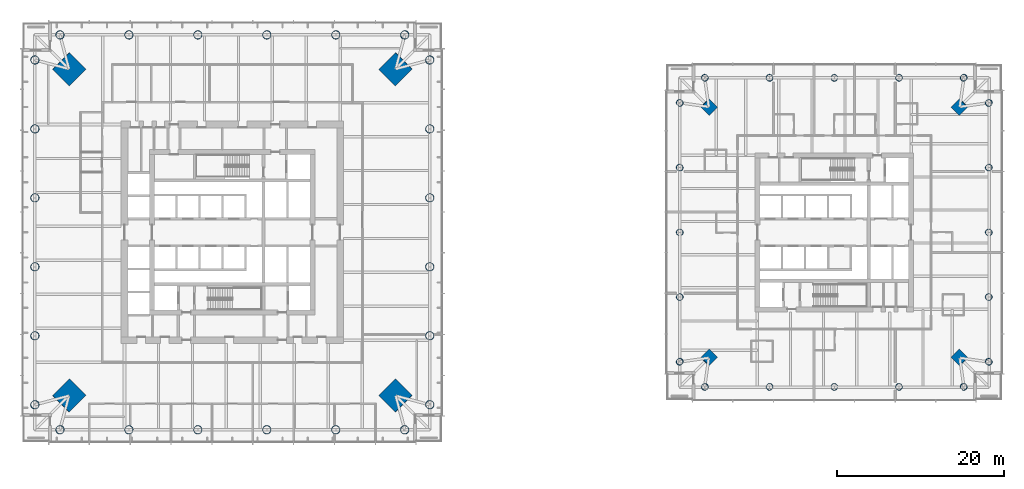
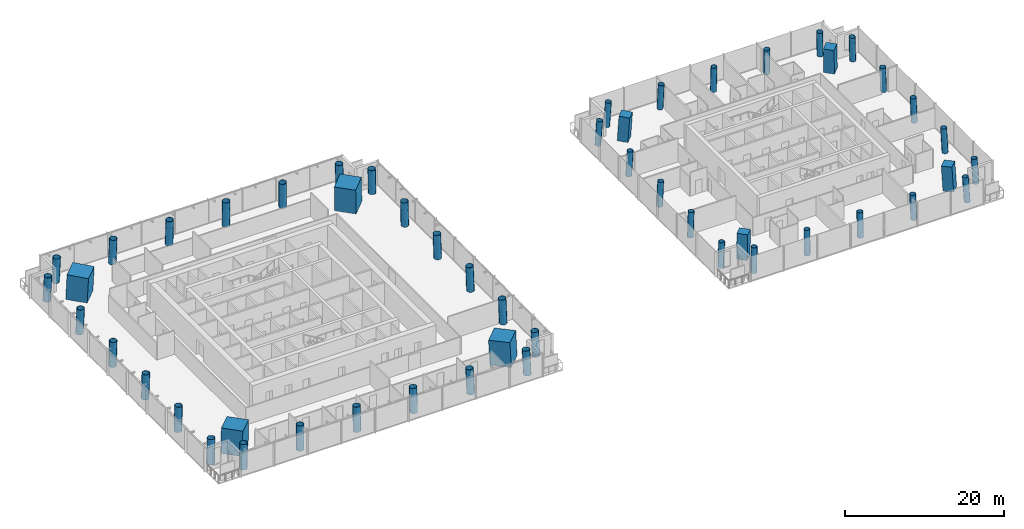
# One storey, part 1 of 21: 52 columns.
"""IFC4 building model written with IfcOpenShell, lengths in metres."""

from ifc_helpers import new_model, si_unit, direction, frame, origin, origin_2d, place, context, subcontext, project, spatial, rectangle, hollow_circle, extrude, material, material_profile, profile_set, type_object, element, save


model = new_model("IFC4")

# Units and contexts
model_context = context("Model", 3, precision=1e-05, world=origin(), true_north=direction((0.0, 1.0)))
body_context = subcontext(model_context, "Body", "Model", "MODEL_VIEW")
ifc_project = project(units=[si_unit("LENGTHUNIT", "METRE"), si_unit("AREAUNIT", "SQUARE_METRE"), si_unit("VOLUMEUNIT", "CUBIC_METRE"), si_unit("PLANEANGLEUNIT", "RADIAN"), si_unit("MASSUNIT", "GRAM", prefix="KILO")], contexts=[model_context])

# Site, building, storey
site_placement = place(None, origin())
site = spatial("IfcSite", under=ifc_project, at=site_placement, CompositionType="ELEMENT")
building_placement = place(site_placement, origin())
building = spatial("IfcBuilding", under=site, at=building_placement, Name="Ostroluk Exchange", CompositionType="ELEMENT")
storey_placement = place(building_placement, frame((0.0, 0.0, 32.39990234375)))
storey = spatial("IfcBuildingStorey", under=building, at=storey_placement, Name="L07", CompositionType="ELEMENT", Elevation=32.39990234375)

# Columns
ifc_material_1 = material(Name="Concrete C50/60", Category="concrete")
ifc_material_profile_1 = material_profile(ifc_material_1, rectangle(XDim=1.39990234375, YDim=1.39990234375, at=origin_2d()), Name="RC 1400x1400")
ifc_profile_set_1 = profile_set([ifc_material_profile_1], Name="Concrete C50/60")
column_type_1 = type_object("IfcColumnType", Name="Mega column RC 1400x1400", PredefinedType="COLUMN", material=ifc_profile_set_1)
for number, where, z_axis, x_axis, name in (
    (1, (132.008544921875, 61.008544921875, 0.0), (-0.043029647111, -0.043029647111, 0.998146732169), (0.707106781187, -0.707106781187, 0.0), "T2 mega column NE"),
    (2, (101.991455078125, 61.008544921875, 0.0), (0.043029647111, -0.043029647111, 0.998146732169), (0.707106781187, 0.707106781187, 0.0), "T2 mega column NW"),
    (3, (101.991455078125, 30.991455078125, 0.0), (0.043029647111, 0.043029647111, 0.998146732169), (-0.707106781187, 0.707106781187, 0.0), "T2 mega column SW"),
    (4, (132.008544921875, 30.991455078125, 0.0), (-0.043029647111, 0.043029647111, 0.998146732169), (-0.707106781187, -0.707106781187, 0.0), "T2 mega column SE"),
):
    element("IfcColumn", number, at=place(storey_placement, frame(where, z_axis=z_axis, x_axis=x_axis)), inside=storey, type_object=column_type_1, Name=name, PredefinedType="COLUMN", context=body_context, shape_type="SweptSolid", body=[
        extrude(rectangle(XDim=1.39990234375, YDim=1.39990234375, at=origin_2d()), origin(), (0.0, 0.0, 1.0), 3.80712890625),
    ])
ifc_material_2 = material(Name="Concrete C50/60", Category="concrete")
ifc_material_profile_2 = material_profile(ifc_material_2, rectangle(XDim=2.800048828125, YDim=2.800048828125, at=origin_2d()), Name="RC 2800x2800")
ifc_profile_set_2 = profile_set([ifc_material_profile_2], Name="Concrete C50/60")
column_type_2 = type_object("IfcColumnType", Name="Mega column RC 2800x2800", PredefinedType="COLUMN", material=ifc_profile_set_2)
for number, where, z_axis, x_axis, name in (
    (5, (64.53564453125, 65.53564453125, 0.0), (-0.031898107953, -0.031898107953, 0.998981992539), (0.707106781187, -0.707106781187, 0.0), "T1 mega column NE"),
    (6, (25.46435546875, 65.53564453125, 0.0), (0.031898107953, -0.031898107953, 0.998981992539), (0.707106781187, 0.707106781187, 0.0), "T1 mega column NW"),
    (7, (25.46435546875, 26.46435546875, 0.0), (0.031898107953, 0.031898107953, 0.998981992539), (-0.707106781187, 0.707106781187, 0.0), "T1 mega column SW"),
    (8, (64.53564453125, 26.46435546875, 0.0), (-0.031898107953, 0.031898107953, 0.998981992539), (-0.707106781187, -0.707106781187, 0.0), "T1 mega column SE"),
):
    element("IfcColumn", number, at=place(storey_placement, frame(where, z_axis=z_axis, x_axis=x_axis)), inside=storey, type_object=column_type_2, Name=name, PredefinedType="COLUMN", context=body_context, shape_type="SweptSolid", body=[
        extrude(rectangle(XDim=2.800048828125, YDim=2.800048828125, at=origin_2d()), origin(), (0.0, 0.0, 1.0), 3.803955078125),
    ])
ifc_material_3 = material(Name="Steel S460", Category="steel")
ifc_material_profile_3 = material_profile(ifc_material_3, hollow_circle(Radius=0.508056640625, WallThickness=0.0400390625, at=origin_2d()), Name="CHS 1016x40")
ifc_profile_set_3 = profile_set([ifc_material_profile_3], Name="Steel S460")
column_type_3 = type_object("IfcColumnType", Name="Perimeter column CHS 1016x40", PredefinedType="COLUMN", material=ifc_profile_set_3)
for number, where, z_axis, x_axis, name in (
    (9, (68.6357421875, 25.3642578125, 0.0), (-0.031898107953, 0.031898107953, 0.998981992539), (-0.707106781187, -0.707106781187, 0.0), "T1 east face column E0"),
    (10, (68.6357421875, 66.6357421875, 0.0), (-0.031898107953, -0.031898107953, 0.998981992539), (0.707106781187, -0.707106781187, 0.0), "T1 east face column E1"),
):
    element("IfcColumn", number, at=place(storey_placement, frame(where, z_axis=z_axis, x_axis=x_axis)), inside=storey, type_object=column_type_3, Name=name, PredefinedType="COLUMN", context=body_context, shape_type="SweptSolid", body=[
        extrude(hollow_circle(Radius=0.508056640625, WallThickness=0.0400390625, at=origin_2d()), origin(), (0.0, 0.0, 1.0), 3.803955078125),
    ])
column_1_placement = place(storey_placement, frame((68.6357421875, 33.61865234375, 0.0), z_axis=(-0.031908506785, 0.019132263625, 0.999307662176), x_axis=(-0.514241961696, -0.857645150882, 0.0)))
element("IfcColumn", 11, at=column_1_placement, inside=storey, type_object=column_type_3, Name="T1 east face column I1", PredefinedType="COLUMN", context=body_context, shape_type="SweptSolid", body=[
    extrude(hollow_circle(Radius=0.508056640625, WallThickness=0.0400390625, at=origin_2d()), origin(), (0.0, 0.0, 1.0), 3.802734375),
])
for number, where, z_axis, x_axis, name in (
    (12, (68.6357421875, 41.872802734375, 0.0), (-0.031913690376, 0.006421265669, 0.999470001408), (-0.197254006954, -0.980352414563, 0.0), "T1 east face column I2"),
    (13, (68.6357421875, 50.127197265625, 0.0), (-0.031913690376, -0.006421265669, 0.999470001408), (0.197254006954, -0.980352414563, 0.0), "T1 east face column I3"),
):
    element("IfcColumn", number, at=place(storey_placement, frame(where, z_axis=z_axis, x_axis=x_axis)), inside=storey, type_object=column_type_3, Name=name, PredefinedType="COLUMN", context=body_context, shape_type="SweptSolid", body=[
        extrude(hollow_circle(Radius=0.508056640625, WallThickness=0.0400390625, at=origin_2d()), origin(), (0.0, 0.0, 1.0), 3.802001953125),
    ])
column_2_placement = place(storey_placement, frame((68.6357421875, 58.38134765625, 0.0), z_axis=(-0.031908506785, -0.019132263625, 0.999307662176), x_axis=(0.514241961696, -0.857645150882, 0.0)))
element("IfcColumn", 14, at=column_2_placement, inside=storey, type_object=column_type_3, Name="T1 east face column I4", PredefinedType="COLUMN", context=body_context, shape_type="SweptSolid", body=[
    extrude(hollow_circle(Radius=0.508056640625, WallThickness=0.0400390625, at=origin_2d()), origin(), (0.0, 0.0, 1.0), 3.802734375),
])
for number, where, z_axis, x_axis, name in (
    (15, (65.6357421875, 69.6357421875, 0.0), (-0.031898107953, -0.031898107953, 0.998981992539), (0.707106781187, -0.707106781187, 0.0), "T1 north face column E0"),
    (16, (24.3642578125, 69.6357421875, 0.0), (0.031898107953, -0.031898107953, 0.998981992539), (0.707106781187, 0.707106781187, 0.0), "T1 north face column E1"),
):
    element("IfcColumn", number, at=place(storey_placement, frame(where, z_axis=z_axis, x_axis=x_axis)), inside=storey, type_object=column_type_3, Name=name, PredefinedType="COLUMN", context=body_context, shape_type="SweptSolid", body=[
        extrude(hollow_circle(Radius=0.508056640625, WallThickness=0.0400390625, at=origin_2d()), origin(), (0.0, 0.0, 1.0), 3.803955078125),
    ])
column_3_placement = place(storey_placement, frame((57.38134765625, 69.6357421875, 0.0), z_axis=(-0.019132263625, -0.031908506785, 0.999307662176), x_axis=(0.857645150882, -0.514241961696, 0.0)))
element("IfcColumn", 17, at=column_3_placement, inside=storey, type_object=column_type_3, Name="T1 north face column I1", PredefinedType="COLUMN", context=body_context, shape_type="SweptSolid", body=[
    extrude(hollow_circle(Radius=0.508056640625, WallThickness=0.0400390625, at=origin_2d()), origin(), (0.0, 0.0, 1.0), 3.802734375),
])
for number, where, z_axis, x_axis, name in (
    (18, (49.127197265625, 69.6357421875, 0.0), (-0.006421265669, -0.031913690376, 0.999470001408), (0.980352414563, -0.197254006954, 0.0), "T1 north face column I2"),
    (19, (40.872802734375, 69.6357421875, 0.0), (0.006421265669, -0.031913690376, 0.999470001408), (0.980352414563, 0.197254006954, 0.0), "T1 north face column I3"),
):
    element("IfcColumn", number, at=place(storey_placement, frame(where, z_axis=z_axis, x_axis=x_axis)), inside=storey, type_object=column_type_3, Name=name, PredefinedType="COLUMN", context=body_context, shape_type="SweptSolid", body=[
        extrude(hollow_circle(Radius=0.508056640625, WallThickness=0.0400390625, at=origin_2d()), origin(), (0.0, 0.0, 1.0), 3.802001953125),
    ])
column_4_placement = place(storey_placement, frame((32.61865234375, 69.6357421875, 0.0), z_axis=(0.019132263625, -0.031908506785, 0.999307662176), x_axis=(0.857645150882, 0.514241961696, 0.0)))
element("IfcColumn", 20, at=column_4_placement, inside=storey, type_object=column_type_3, Name="T1 north face column I4", PredefinedType="COLUMN", context=body_context, shape_type="SweptSolid", body=[
    extrude(hollow_circle(Radius=0.508056640625, WallThickness=0.0400390625, at=origin_2d()), origin(), (0.0, 0.0, 1.0), 3.802734375),
])
for number, where, z_axis, x_axis, name in (
    (21, (21.3642578125, 66.6357421875, 0.0), (0.031898107953, -0.031898107953, 0.998981992539), (0.707106781187, 0.707106781187, 0.0), "T1 west face column E0"),
    (22, (21.3642578125, 25.3642578125, 0.0), (0.031898107953, 0.031898107953, 0.998981992539), (-0.707106781187, 0.707106781187, 0.0), "T1 west face column E1"),
):
    element("IfcColumn", number, at=place(storey_placement, frame(where, z_axis=z_axis, x_axis=x_axis)), inside=storey, type_object=column_type_3, Name=name, PredefinedType="COLUMN", context=body_context, shape_type="SweptSolid", body=[
        extrude(hollow_circle(Radius=0.508056640625, WallThickness=0.0400390625, at=origin_2d()), origin(), (0.0, 0.0, 1.0), 3.803955078125),
    ])
column_5_placement = place(storey_placement, frame((21.3642578125, 58.38134765625, 0.0), z_axis=(0.031908506785, -0.019132263625, 0.999307662176), x_axis=(0.514241961696, 0.857645150882, 0.0)))
element("IfcColumn", 23, at=column_5_placement, inside=storey, type_object=column_type_3, Name="T1 west face column I1", PredefinedType="COLUMN", context=body_context, shape_type="SweptSolid", body=[
    extrude(hollow_circle(Radius=0.508056640625, WallThickness=0.0400390625, at=origin_2d()), origin(), (0.0, 0.0, 1.0), 3.802734375),
])
for number, where, z_axis, x_axis, name in (
    (24, (21.3642578125, 50.127197265625, 0.0), (0.031913690376, -0.006421265669, 0.999470001408), (0.197254006954, 0.980352414563, 0.0), "T1 west face column I2"),
    (25, (21.3642578125, 41.872802734375, 0.0), (0.031913690376, 0.006421265669, 0.999470001408), (-0.197254006954, 0.980352414563, 0.0), "T1 west face column I3"),
):
    element("IfcColumn", number, at=place(storey_placement, frame(where, z_axis=z_axis, x_axis=x_axis)), inside=storey, type_object=column_type_3, Name=name, PredefinedType="COLUMN", context=body_context, shape_type="SweptSolid", body=[
        extrude(hollow_circle(Radius=0.508056640625, WallThickness=0.0400390625, at=origin_2d()), origin(), (0.0, 0.0, 1.0), 3.802001953125),
    ])
column_6_placement = place(storey_placement, frame((21.3642578125, 33.61865234375, 0.0), z_axis=(0.031908506785, 0.019132263625, 0.999307662176), x_axis=(-0.514241961696, 0.857645150882, 0.0)))
element("IfcColumn", 26, at=column_6_placement, inside=storey, type_object=column_type_3, Name="T1 west face column I4", PredefinedType="COLUMN", context=body_context, shape_type="SweptSolid", body=[
    extrude(hollow_circle(Radius=0.508056640625, WallThickness=0.0400390625, at=origin_2d()), origin(), (0.0, 0.0, 1.0), 3.802734375),
])
for number, where, z_axis, x_axis, name in (
    (27, (24.3642578125, 22.3642578125, 0.0), (0.031898107953, 0.031898107953, 0.998981992539), (-0.707106781187, 0.707106781187, 0.0), "T1 south face column E0"),
    (28, (65.6357421875, 22.3642578125, 0.0), (-0.031898107953, 0.031898107953, 0.998981992539), (-0.707106781187, -0.707106781187, 0.0), "T1 south face column E1"),
):
    element("IfcColumn", number, at=place(storey_placement, frame(where, z_axis=z_axis, x_axis=x_axis)), inside=storey, type_object=column_type_3, Name=name, PredefinedType="COLUMN", context=body_context, shape_type="SweptSolid", body=[
        extrude(hollow_circle(Radius=0.508056640625, WallThickness=0.0400390625, at=origin_2d()), origin(), (0.0, 0.0, 1.0), 3.803955078125),
    ])
column_7_placement = place(storey_placement, frame((32.61865234375, 22.3642578125, 0.0), z_axis=(0.019132263625, 0.031908506785, 0.999307662176), x_axis=(-0.857645150882, 0.514241961696, 0.0)))
element("IfcColumn", 29, at=column_7_placement, inside=storey, type_object=column_type_3, Name="T1 south face column I1", PredefinedType="COLUMN", context=body_context, shape_type="SweptSolid", body=[
    extrude(hollow_circle(Radius=0.508056640625, WallThickness=0.0400390625, at=origin_2d()), origin(), (0.0, 0.0, 1.0), 3.802734375),
])
for number, where, z_axis, x_axis, name in (
    (30, (40.872802734375, 22.3642578125, 0.0), (0.006421265669, 0.031913690376, 0.999470001408), (-0.980352414563, 0.197254006954, 0.0), "T1 south face column I2"),
    (31, (49.127197265625, 22.3642578125, 0.0), (-0.006421265669, 0.031913690376, 0.999470001408), (-0.980352414563, -0.197254006954, 0.0), "T1 south face column I3"),
):
    element("IfcColumn", number, at=place(storey_placement, frame(where, z_axis=z_axis, x_axis=x_axis)), inside=storey, type_object=column_type_3, Name=name, PredefinedType="COLUMN", context=body_context, shape_type="SweptSolid", body=[
        extrude(hollow_circle(Radius=0.508056640625, WallThickness=0.0400390625, at=origin_2d()), origin(), (0.0, 0.0, 1.0), 3.802001953125),
    ])
column_8_placement = place(storey_placement, frame((57.38134765625, 22.3642578125, 0.0), z_axis=(-0.019132263625, 0.031908506785, 0.999307662176), x_axis=(-0.857645150882, -0.514241961696, 0.0)))
element("IfcColumn", 32, at=column_8_placement, inside=storey, type_object=column_type_3, Name="T1 south face column I4", PredefinedType="COLUMN", context=body_context, shape_type="SweptSolid", body=[
    extrude(hollow_circle(Radius=0.508056640625, WallThickness=0.0400390625, at=origin_2d()), origin(), (0.0, 0.0, 1.0), 3.802734375),
])
ifc_material_4 = material(Name="Steel S460", Category="steel")
ifc_material_profile_4 = material_profile(ifc_material_4, hollow_circle(Radius=0.406494140625, WallThickness=0.030029296875, at=origin_2d()), Name="CHS 813x30")
ifc_profile_set_4 = profile_set([ifc_material_profile_4], Name="Steel S460")
column_type_4 = type_object("IfcColumnType", Name="Perimeter column CHS 813x30", PredefinedType="COLUMN", material=ifc_profile_set_4)
for number, where, z_axis, x_axis, name in (
    (33, (135.508544921875, 30.491455078125, 0.0), (-0.043029647111, 0.043029647111, 0.998146732169), (-0.707106781187, -0.707106781187, 0.0), "T2 east face column E0"),
    (34, (135.508544921875, 61.508544921875, 0.0), (-0.043029647111, -0.043029647111, 0.998146732169), (0.707106781187, -0.707106781187, 0.0), "T2 east face column E1"),
):
    element("IfcColumn", number, at=place(storey_placement, frame(where, z_axis=z_axis, x_axis=x_axis)), inside=storey, type_object=column_type_4, Name=name, PredefinedType="COLUMN", context=body_context, shape_type="SweptSolid", body=[
        extrude(hollow_circle(Radius=0.406494140625, WallThickness=0.030029296875, at=origin_2d()), origin(), (0.0, 0.0, 1.0), 3.80712890625),
    ])
column_9_placement = place(storey_placement, frame((135.508544921875, 38.24560546875, 0.0), z_axis=(-0.043059525333, 0.021561848751, 0.998839808957), x_axis=(-0.44774654769, -0.894160516368, 0.0)))
element("IfcColumn", 35, at=column_9_placement, inside=storey, type_object=column_type_4, Name="T2 east face column I1", PredefinedType="COLUMN", context=body_context, shape_type="SweptSolid", body=[
    extrude(hollow_circle(Radius=0.406494140625, WallThickness=0.030029296875, at=origin_2d()), origin(), (0.0, 0.0, 1.0), 3.804443359375),
])
column_10_placement = place(storey_placement, frame((135.508544921875, 46.0, 0.0), z_axis=(-0.043069538298, 0.0, 0.999072076915), x_axis=(0.0, -1.0, 0.0)))
element("IfcColumn", 36, at=column_10_placement, inside=storey, type_object=column_type_4, Name="T2 east face column I2", PredefinedType="COLUMN", context=body_context, shape_type="SweptSolid", body=[
    extrude(hollow_circle(Radius=0.406494140625, WallThickness=0.030029296875, at=origin_2d()), origin(), (0.0, 0.0, 1.0), 3.803466796875),
])
column_11_placement = place(storey_placement, frame((135.508544921875, 53.75439453125, 0.0), z_axis=(-0.043059525333, -0.021561848751, 0.998839808957), x_axis=(0.44774654769, -0.894160516368, 0.0)))
element("IfcColumn", 37, at=column_11_placement, inside=storey, type_object=column_type_4, Name="T2 east face column I3", PredefinedType="COLUMN", context=body_context, shape_type="SweptSolid", body=[
    extrude(hollow_circle(Radius=0.406494140625, WallThickness=0.030029296875, at=origin_2d()), origin(), (0.0, 0.0, 1.0), 3.804443359375),
])
for number, where, z_axis, x_axis, name in (
    (38, (132.508544921875, 64.508544921875, 0.0), (-0.043029647111, -0.043029647111, 0.998146732169), (0.707106781187, -0.707106781187, 0.0), "T2 north face column E0"),
    (39, (101.491455078125, 64.508544921875, 0.0), (0.043029647111, -0.043029647111, 0.998146732169), (0.707106781187, 0.707106781187, 0.0), "T2 north face column E1"),
):
    element("IfcColumn", number, at=place(storey_placement, frame(where, z_axis=z_axis, x_axis=x_axis)), inside=storey, type_object=column_type_4, Name=name, PredefinedType="COLUMN", context=body_context, shape_type="SweptSolid", body=[
        extrude(hollow_circle(Radius=0.406494140625, WallThickness=0.030029296875, at=origin_2d()), origin(), (0.0, 0.0, 1.0), 3.80712890625),
    ])
column_12_placement = place(storey_placement, frame((124.75439453125, 64.508544921875, 0.0), z_axis=(-0.021561848751, -0.043059525333, 0.998839808957), x_axis=(0.894160516368, -0.44774654769, 0.0)))
element("IfcColumn", 40, at=column_12_placement, inside=storey, type_object=column_type_4, Name="T2 north face column I1", PredefinedType="COLUMN", context=body_context, shape_type="SweptSolid", body=[
    extrude(hollow_circle(Radius=0.406494140625, WallThickness=0.030029296875, at=origin_2d()), origin(), (0.0, 0.0, 1.0), 3.804443359375),
])
column_13_placement = place(storey_placement, frame((117.0, 64.508544921875, 0.0), z_axis=(0.0, -0.043069538298, 0.999072076915), x_axis=(1.0, 0.0, 0.0)))
element("IfcColumn", 41, at=column_13_placement, inside=storey, type_object=column_type_4, Name="T2 north face column I2", PredefinedType="COLUMN", context=body_context, shape_type="SweptSolid", body=[
    extrude(hollow_circle(Radius=0.406494140625, WallThickness=0.030029296875, at=origin_2d()), origin(), (0.0, 0.0, 1.0), 3.803466796875),
])
column_14_placement = place(storey_placement, frame((109.24560546875, 64.508544921875, 0.0), z_axis=(0.021561848751, -0.043059525333, 0.998839808957), x_axis=(0.894160516368, 0.44774654769, 0.0)))
element("IfcColumn", 42, at=column_14_placement, inside=storey, type_object=column_type_4, Name="T2 north face column I3", PredefinedType="COLUMN", context=body_context, shape_type="SweptSolid", body=[
    extrude(hollow_circle(Radius=0.406494140625, WallThickness=0.030029296875, at=origin_2d()), origin(), (0.0, 0.0, 1.0), 3.804443359375),
])
for number, where, z_axis, x_axis, name in (
    (43, (98.491455078125, 61.508544921875, 0.0), (0.043029647111, -0.043029647111, 0.998146732169), (0.707106781187, 0.707106781187, 0.0), "T2 west face column E0"),
    (44, (98.491455078125, 30.491455078125, 0.0), (0.043029647111, 0.043029647111, 0.998146732169), (-0.707106781187, 0.707106781187, 0.0), "T2 west face column E1"),
):
    element("IfcColumn", number, at=place(storey_placement, frame(where, z_axis=z_axis, x_axis=x_axis)), inside=storey, type_object=column_type_4, Name=name, PredefinedType="COLUMN", context=body_context, shape_type="SweptSolid", body=[
        extrude(hollow_circle(Radius=0.406494140625, WallThickness=0.030029296875, at=origin_2d()), origin(), (0.0, 0.0, 1.0), 3.80712890625),
    ])
column_15_placement = place(storey_placement, frame((98.491455078125, 53.75439453125, 0.0), z_axis=(0.043059525333, -0.021561848751, 0.998839808957), x_axis=(0.44774654769, 0.894160516368, 0.0)))
element("IfcColumn", 45, at=column_15_placement, inside=storey, type_object=column_type_4, Name="T2 west face column I1", PredefinedType="COLUMN", context=body_context, shape_type="SweptSolid", body=[
    extrude(hollow_circle(Radius=0.406494140625, WallThickness=0.030029296875, at=origin_2d()), origin(), (0.0, 0.0, 1.0), 3.804443359375),
])
column_16_placement = place(storey_placement, frame((98.491455078125, 46.0, 0.0), z_axis=(0.043069538298, 0.0, 0.999072076915), x_axis=(0.0, 1.0, 0.0)))
element("IfcColumn", 46, at=column_16_placement, inside=storey, type_object=column_type_4, Name="T2 west face column I2", PredefinedType="COLUMN", context=body_context, shape_type="SweptSolid", body=[
    extrude(hollow_circle(Radius=0.406494140625, WallThickness=0.030029296875, at=origin_2d()), origin(), (0.0, 0.0, 1.0), 3.803466796875),
])
column_17_placement = place(storey_placement, frame((98.491455078125, 38.24560546875, 0.0), z_axis=(0.043059525333, 0.021561848751, 0.998839808957), x_axis=(-0.44774654769, 0.894160516368, 0.0)))
element("IfcColumn", 47, at=column_17_placement, inside=storey, type_object=column_type_4, Name="T2 west face column I3", PredefinedType="COLUMN", context=body_context, shape_type="SweptSolid", body=[
    extrude(hollow_circle(Radius=0.406494140625, WallThickness=0.030029296875, at=origin_2d()), origin(), (0.0, 0.0, 1.0), 3.804443359375),
])
for number, where, z_axis, x_axis, name in (
    (48, (101.491455078125, 27.491455078125, 0.0), (0.043029647111, 0.043029647111, 0.998146732169), (-0.707106781187, 0.707106781187, 0.0), "T2 south face column E0"),
    (49, (132.508544921875, 27.491455078125, 0.0), (-0.043029647111, 0.043029647111, 0.998146732169), (-0.707106781187, -0.707106781187, 0.0), "T2 south face column E1"),
):
    element("IfcColumn", number, at=place(storey_placement, frame(where, z_axis=z_axis, x_axis=x_axis)), inside=storey, type_object=column_type_4, Name=name, PredefinedType="COLUMN", context=body_context, shape_type="SweptSolid", body=[
        extrude(hollow_circle(Radius=0.406494140625, WallThickness=0.030029296875, at=origin_2d()), origin(), (0.0, 0.0, 1.0), 3.80712890625),
    ])
column_18_placement = place(storey_placement, frame((109.24560546875, 27.491455078125, 0.0), z_axis=(0.021561848751, 0.043059525333, 0.998839808957), x_axis=(-0.894160516368, 0.44774654769, 0.0)))
element("IfcColumn", 50, at=column_18_placement, inside=storey, type_object=column_type_4, Name="T2 south face column I1", PredefinedType="COLUMN", context=body_context, shape_type="SweptSolid", body=[
    extrude(hollow_circle(Radius=0.406494140625, WallThickness=0.030029296875, at=origin_2d()), origin(), (0.0, 0.0, 1.0), 3.804443359375),
])
column_19_placement = place(storey_placement, frame((117.0, 27.491455078125, 0.0), z_axis=(0.0, 0.043069538298, 0.999072076915), x_axis=(-1.0, 0.0, 0.0)))
element("IfcColumn", 51, at=column_19_placement, inside=storey, type_object=column_type_4, Name="T2 south face column I2", PredefinedType="COLUMN", context=body_context, shape_type="SweptSolid", body=[
    extrude(hollow_circle(Radius=0.406494140625, WallThickness=0.030029296875, at=origin_2d()), origin(), (0.0, 0.0, 1.0), 3.803466796875),
])
column_20_placement = place(storey_placement, frame((124.75439453125, 27.491455078125, 0.0), z_axis=(-0.021561848751, 0.043059525333, 0.998839808957), x_axis=(-0.894160516368, -0.44774654769, 0.0)))
element("IfcColumn", 52, at=column_20_placement, inside=storey, type_object=column_type_4, Name="T2 south face column I3", PredefinedType="COLUMN", context=body_context, shape_type="SweptSolid", body=[
    extrude(hollow_circle(Radius=0.406494140625, WallThickness=0.030029296875, at=origin_2d()), origin(), (0.0, 0.0, 1.0), 3.804443359375),
])

save(model, "model.ifc")
